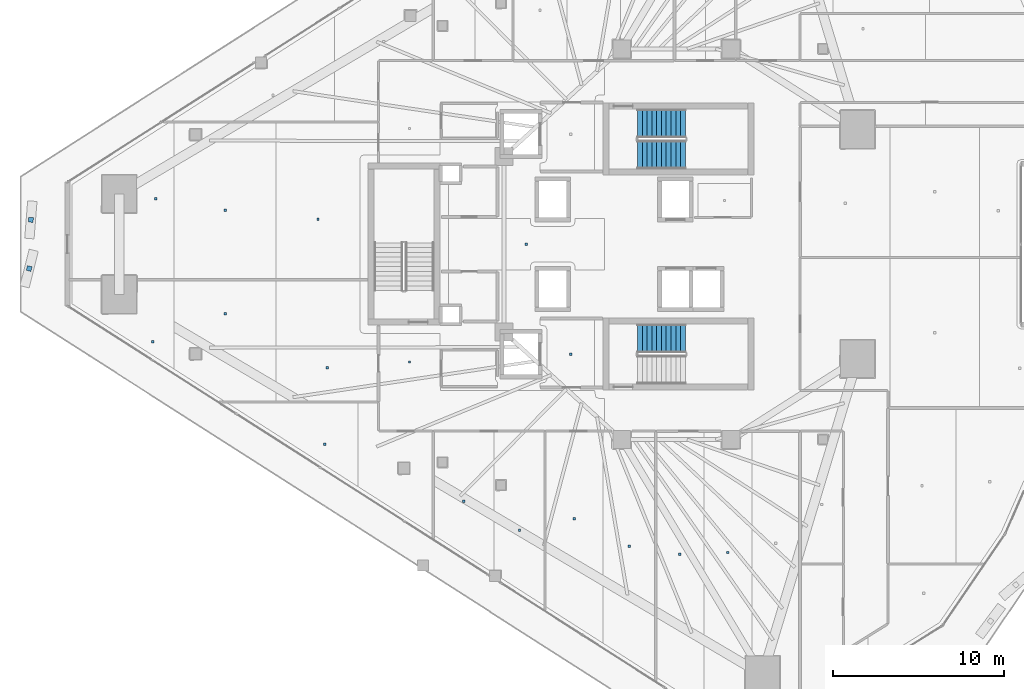
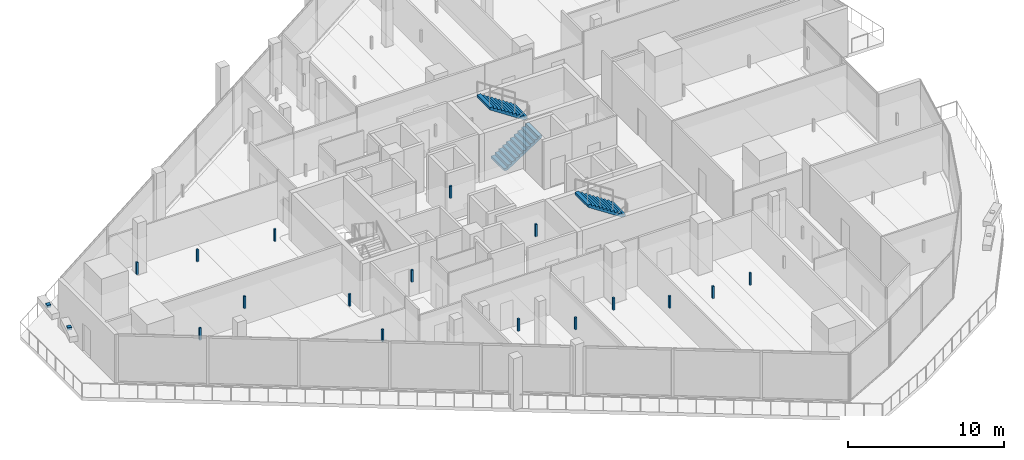
# One storey, part 26 of 35: 18 discrete accessories, 3 stair flights, 2 elements without a shape of their own.
"""IFC4 building model written with IfcOpenShell, lengths in metres."""

from ifc_helpers import new_model, si_unit, direction, frame, origin, origin_2d, place, context, subcontext, project, spatial, polyline, rectangle, outline, extrude, material, layer, layer_set, type_object, element, aggregate, save


model = new_model("IFC4")

# Units and contexts
model_context = context("Model", 3, precision=1e-05, world=origin(), true_north=direction((0.0, 1.0)))
body_context = subcontext(model_context, "Body", "Model", "MODEL_VIEW")
ifc_project = project(units=[si_unit("LENGTHUNIT", "METRE"), si_unit("AREAUNIT", "SQUARE_METRE"), si_unit("VOLUMEUNIT", "CUBIC_METRE"), si_unit("PLANEANGLEUNIT", "RADIAN"), si_unit("MASSUNIT", "GRAM", prefix="KILO")], contexts=[model_context])

# Site, building, storey
site_placement = place(None, origin())
site = spatial("IfcSite", under=ifc_project, at=site_placement, CompositionType="ELEMENT")
building_placement = place(site_placement, origin())
building = spatial("IfcBuilding", under=site, at=building_placement, Name="Qorvath Tower", CompositionType="ELEMENT")
storey_placement = place(building_placement, frame((0.0, 0.0, 166.5)))
storey = spatial("IfcBuildingStorey", under=building, at=storey_placement, Name="L38", CompositionType="ELEMENT", Elevation=166.5)

# Stair, stair flights
ifc_material_1 = material(Name="Concrete C50/60", Category="concrete")
stair_type = type_object("IfcStairType", Name="ST-H405", PredefinedType="HALF_TURN_STAIR", material=ifc_material_1)
stair_1_placement = place(storey_placement, origin())
stair_1 = element("IfcStair", 1, at=stair_1_placement, inside=storey, type_object=stair_type, Name="L38 Tower Exit Stair 1", PredefinedType="HALF_TURN_STAIR")
ifc_material_2 = material(Name="Concrete C50/60", Category="concrete")
ifc_layer = layer(ifc_material_2, 0.14990234375)
ifc_layer_set = layer_set([ifc_layer], Name="SF-H405")
stair_flight_type = type_object("IfcStairFlightType", Name="SF-H405", PredefinedType="STRAIGHT", material=ifc_layer_set)
stair_flight_1_placement = place(storey_placement, frame((-22.669921875, 5.239990234375, 0.0), z_axis=(0.0, 0.0, 1.0), x_axis=(1.0, 0.0, 0.0)))
stair_flight_1 = element("IfcStairFlight", 2, at=stair_flight_1_placement, type_object=stair_flight_type, Name="TS1 flight 1", NumberOfRisers=11, NumberOfTreads=10, PredefinedType="STRAIGHT", RiserHeight=0.184090909, TreadLength=0.28, context=body_context, shape_type="SweptSolid", body=[
    extrude(outline(polyline([(0.0, 0.0), (0.0, 0.18408203125), (0.280029296875, 0.18408203125), (0.280029296875, 0.3681640625), (0.56005859375, 0.3681640625), (0.56005859375, 0.55224609375), (0.840087890625, 0.55224609375), (0.840087890625, 0.736328125), (1.1201171875, 0.736328125), (1.1201171875, 0.92041015625), (1.39990234375, 0.92041015625), (1.39990234375, 1.1044921875), (1.679931640625, 1.1044921875), (1.679931640625, 1.28857421875), (1.9599609375, 1.28857421875), (1.9599609375, 1.47265625), (2.239990234375, 1.47265625), (2.239990234375, 1.65673828125), (2.52001953125, 1.65673828125), (2.52001953125, 1.8408203125), (2.800048828125, 1.8408203125), (2.800048828125, 2.02490234375), (2.800048828125, 1.66162109375), (0.27294921875, 0.0), (0.0, 0.0)])), frame((0.0, 0.83984375, 0.0), z_axis=(0.0, -1.0, 0.0), x_axis=(1.0, 0.0, 0.0)), (0.0, 0.0, 1.0), 1.679931640625),
])
stair_flight_2_placement = place(storey_placement, frame((-19.8701171875, 7.070068359375, 2.02490234375), z_axis=(0.0, 0.0, 1.0), x_axis=(-1.0, 0.0, 0.0)))
stair_flight_2 = element("IfcStairFlight", 3, at=stair_flight_2_placement, type_object=stair_flight_type, Name="TS1 flight 2", NumberOfRisers=11, NumberOfTreads=10, PredefinedType="STRAIGHT", RiserHeight=0.184090909, TreadLength=0.28, context=body_context, shape_type="SweptSolid", body=[
    extrude(outline(polyline([(0.0, 0.0), (0.0, 0.18408203125), (0.280029296875, 0.18408203125), (0.280029296875, 0.3681640625), (0.56005859375, 0.3681640625), (0.56005859375, 0.55224609375), (0.840087890625, 0.55224609375), (0.840087890625, 0.736328125), (1.1201171875, 0.736328125), (1.1201171875, 0.92041015625), (1.39990234375, 0.92041015625), (1.39990234375, 1.1044921875), (1.679931640625, 1.1044921875), (1.679931640625, 1.28857421875), (1.9599609375, 1.28857421875), (1.9599609375, 1.47265625), (2.239990234375, 1.47265625), (2.239990234375, 1.65673828125), (2.52001953125, 1.65673828125), (2.52001953125, 1.8408203125), (2.800048828125, 1.8408203125), (2.800048828125, 2.02490234375), (2.800048828125, 1.66162109375), (0.27294921875, 0.0), (0.0, 0.0)])), frame((0.0, 0.83984375, 0.0), z_axis=(0.0, -1.0, 0.0), x_axis=(1.0, 0.0, 0.0)), (0.0, 0.0, 1.0), 1.679931640625),
])
aggregate(stair_1, [stair_flight_1, stair_flight_2])

# Stair, stair flight
stair_2_placement = place(storey_placement, origin())
stair_2 = element("IfcStair", 4, at=stair_2_placement, inside=storey, type_object=stair_type, Name="L38 Tower Exit Stair 2", PredefinedType="HALF_TURN_STAIR")
stair_flight_3_placement = place(storey_placement, frame((-19.8701171875, -5.530029296875, 2.02490234375), z_axis=(0.0, 0.0, 1.0), x_axis=(-1.0, 0.0, 0.0)))
stair_flight_3 = element("IfcStairFlight", 5, at=stair_flight_3_placement, type_object=stair_flight_type, Name="TS2 flight 2", NumberOfRisers=11, NumberOfTreads=10, PredefinedType="STRAIGHT", RiserHeight=0.184090909, TreadLength=0.28, context=body_context, shape_type="SweptSolid", body=[
    extrude(outline(polyline([(0.0, 0.0), (0.0, 0.18408203125), (0.280029296875, 0.18408203125), (0.280029296875, 0.3681640625), (0.56005859375, 0.3681640625), (0.56005859375, 0.55224609375), (0.840087890625, 0.55224609375), (0.840087890625, 0.736328125), (1.1201171875, 0.736328125), (1.1201171875, 0.92041015625), (1.39990234375, 0.92041015625), (1.39990234375, 1.1044921875), (1.679931640625, 1.1044921875), (1.679931640625, 1.28857421875), (1.9599609375, 1.28857421875), (1.9599609375, 1.47265625), (2.239990234375, 1.47265625), (2.239990234375, 1.65673828125), (2.52001953125, 1.65673828125), (2.52001953125, 1.8408203125), (2.800048828125, 1.8408203125), (2.800048828125, 2.02490234375), (2.800048828125, 1.66162109375), (0.27294921875, 0.0), (0.0, 0.0)])), frame((0.0, 0.83984375, 0.0), z_axis=(0.0, -1.0, 0.0), x_axis=(1.0, 0.0, 0.0)), (0.0, 0.0, 1.0), 1.679931640625),
])
aggregate(stair_2, [stair_flight_3])

# Discrete accessories
ifc_material_3 = material(Name="Galvanised steel bracket", Category="steel")
discrete_accessory_type = type_object("IfcDiscreteAccessoryType", Name="DA-BRACKET", PredefinedType="BRACKET", material=ifc_material_3)
for number, where, z_axis, x_axis, name in (
    (6, (-58.231689453125, 1.427001953125, 3.64013671875), (0.0, 0.0, 1.0), (-0.078841878711, -0.996887134114, 0.0), "Louvre Wave Support Bracket L38-01"),
    (7, (-58.331298828125, -1.427001953125, 3.64013671875), (0.0, 0.0, 1.0), (-0.24460344873, -0.969623201491, 0.0), "Louvre Wave Support Bracket L38-02"),
):
    element("IfcDiscreteAccessory", number, at=place(storey_placement, frame(where, z_axis=z_axis, x_axis=x_axis)), inside=storey, type_object=discrete_accessory_type, Name=name, PredefinedType="NOTDEFINED", context=body_context, shape_type="SweptSolid", body=[
        extrude(rectangle(XDim=0.280029296875, YDim=0.280029296875, at=origin_2d()), origin(), (0.0, 0.0, 1.0), 0.199951171875),
    ])
for number, where, z_axis, x_axis, name in (
    (8, (-26.590087890625, -6.449951171875, 2.85986328125), (0.0, 0.0, 1.0), (1.0, 0.0, 0.0), "Acoustic Ceiling Suspension Hanger T1-L38-002"),
    (9, (-36.04150390625, -6.906982421875, 2.85986328125), (0.0, 0.0, 1.0), (1.0, 0.0, 0.0), "Acoustic Ceiling Suspension Hanger T1-L38-008"),
    (10, (-29.19091796875, 0.0, 2.85986328125), (0.0, 0.0, 1.0), (1.0, 0.0, 0.0), "Acoustic Ceiling Suspension Hanger T1-L38-010"),
    (11, (-32.86083984375, -15.077880859375, 2.85986328125), (0.0, 0.0, 1.0), (1.0, 0.0, 0.0), "Acoustic Ceiling Suspension Hanger T1-L38-021"),
    (12, (-29.591796875, -16.776123046875, 2.85986328125), (0.0, 0.0, 1.0), (1.0, 0.0, 0.0), "Acoustic Ceiling Suspension Hanger T1-L38-022"),
    (13, (-26.38720703125, -16.0908203125, 2.85986328125), (0.0, 0.0, 1.0), (1.0, 0.0, 0.0), "Acoustic Ceiling Suspension Hanger T1-L38-023"),
    (14, (-23.1484375, -17.71435546875, 2.85986328125), (0.0, 0.0, 1.0), (1.0, 0.0, 0.0), "Acoustic Ceiling Suspension Hanger T1-L38-024"),
    (15, (-20.18701171875, -18.16650390625, 2.85986328125), (0.0, 0.0, 1.0), (1.0, 0.0, 0.0), "Acoustic Ceiling Suspension Hanger T1-L38-025"),
    (16, (-17.374267578125, -18.0693359375, 2.85986328125), (0.0, 0.0, 1.0), (1.0, 0.0, 0.0), "Acoustic Ceiling Suspension Hanger T1-L38-026"),
    (17, (-41.002197265625, -11.728515625, 2.85986328125), (0.0, 0.0, 1.0), (1.0, 0.0, 0.0), "Acoustic Ceiling Suspension Hanger T1-L38-042"),
    (18, (-51.0927734375, -5.71435546875, 2.85986328125), (0.0, 0.0, 1.0), (1.0, 0.0, 0.0), "Acoustic Ceiling Suspension Hanger T1-L38-044"),
    (19, (-46.844482421875, -4.071044921875, 2.85986328125), (0.0, 0.0, 1.0), (1.0, 0.0, 0.0), "Acoustic Ceiling Suspension Hanger T1-L38-045"),
    (20, (-40.85693359375, -7.23876953125, 2.85986328125), (0.0, 0.0, 1.0), (1.0, 0.0, 0.0), "Acoustic Ceiling Suspension Hanger T1-L38-046"),
    (21, (-50.922607421875, 2.6708984375, 2.85986328125), (0.0, 0.0, 1.0), (1.0, 0.0, 0.0), "Acoustic Ceiling Suspension Hanger T1-L38-047"),
    (22, (-46.844482421875, 1.986328125, 2.85986328125), (0.0, 0.0, 1.0), (1.0, 0.0, 0.0), "Acoustic Ceiling Suspension Hanger T1-L38-048"),
    (23, (-41.400390625, 1.46142578125, 2.85986328125), (0.0, 0.0, 1.0), (1.0, 0.0, 0.0), "Acoustic Ceiling Suspension Hanger T1-L38-049"),
):
    element("IfcDiscreteAccessory", number, at=place(storey_placement, frame(where, z_axis=z_axis, x_axis=x_axis)), inside=storey, type_object=discrete_accessory_type, Name=name, PredefinedType="NOTDEFINED", context=body_context, shape_type="SweptSolid", body=[
        extrude(rectangle(XDim=0.139892578125, YDim=0.139892578125, at=origin_2d()), origin(), (0.0, 0.0, 1.0), 0.949951171875),
    ])

save(model, "model.ifc")
